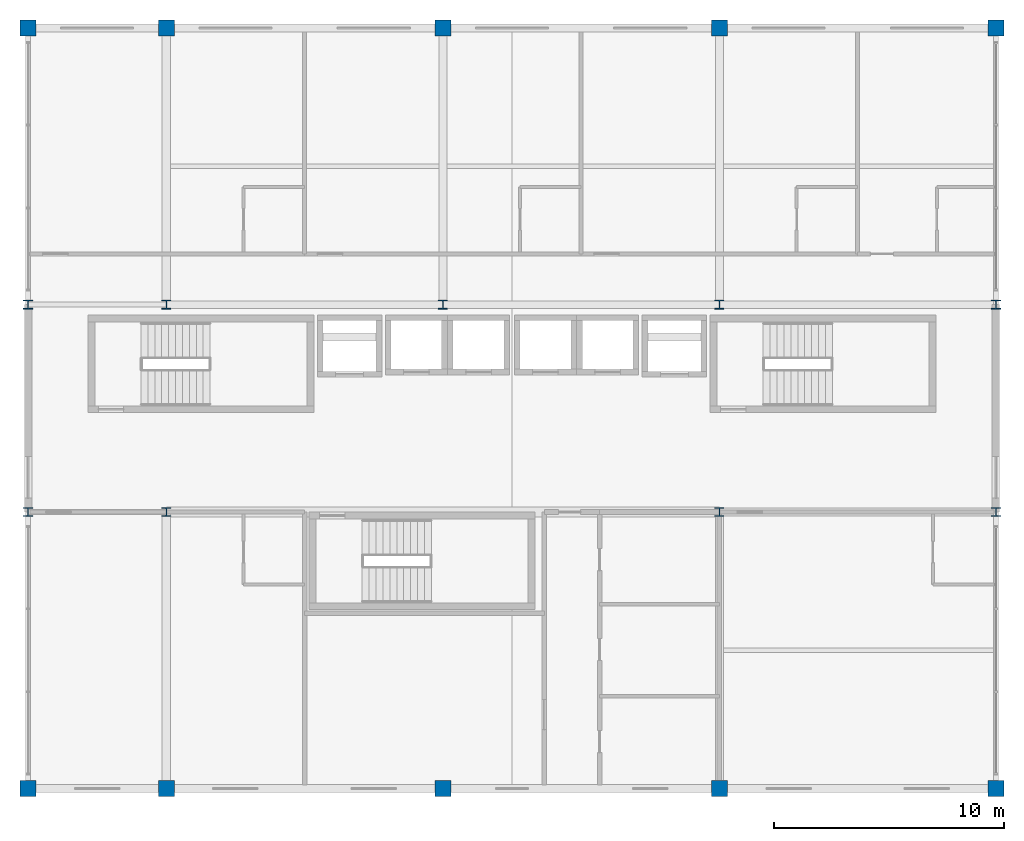
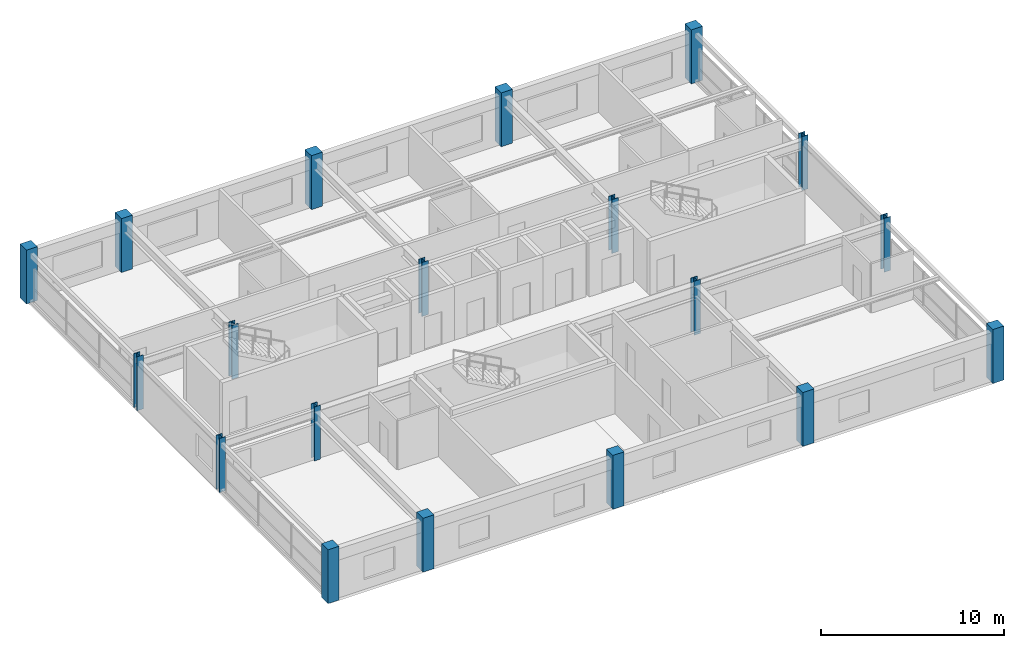
# One storey, part 1 of 22: 19 columns.
"""IFC4 building model written with IfcOpenShell, lengths in metres."""

from ifc_helpers import new_model, si_unit, direction, frame, origin, origin_2d, place, context, subcontext, project, spatial, rectangle, i_section, extrude, material, material_profile, profile_set, type_object, element, save


model = new_model("IFC4")

# Units and contexts
model_context = context("Model", 3, precision=1e-05, world=origin(), true_north=direction((0.0, 1.0)))
body_context = subcontext(model_context, "Body", "Model", "MODEL_VIEW")
ifc_project = project(units=[si_unit("LENGTHUNIT", "METRE"), si_unit("AREAUNIT", "SQUARE_METRE"), si_unit("VOLUMEUNIT", "CUBIC_METRE"), si_unit("PLANEANGLEUNIT", "RADIAN"), si_unit("MASSUNIT", "GRAM", prefix="KILO")], contexts=[model_context])

# Site, building, storey
site_placement = place(None, origin())
site = spatial("IfcSite", under=ifc_project, at=site_placement, CompositionType="ELEMENT")
building_placement = place(site_placement, origin())
building = spatial("IfcBuilding", under=site, at=building_placement, Name="Kaldorvane Square Convention Centre", CompositionType="ELEMENT")
storey_placement = place(building_placement, frame((0.0, 0.0, 63.600006103515625)))
storey = spatial("IfcBuildingStorey", under=building, at=storey_placement, Name="L15", CompositionType="ELEMENT", Elevation=63.600006103515625)

# Columns
ifc_material_1 = material(Name="Concrete f'c = 42 MPa (Normalweight)", Category="concrete")
ifc_material_profile_1 = material_profile(ifc_material_1, rectangle(XDim=0.6999969482421875, YDim=0.6999969482421875, at=origin_2d()), Name="RC700X700")
ifc_profile_set_1 = profile_set([ifc_material_profile_1], Name="Concrete f'c = 42 MPa (Normalweight)")
column_type_1 = type_object("IfcColumnType", Name="COL-RC-700", PredefinedType="COLUMN", material=ifc_profile_set_1)
for number, where, z_axis, x_axis, name in (
    (1, (36.0, 84.0, 0.0), (0.0, 0.0, 1.0), (1.0, 0.0, 0.0), "Column CC-06 (L15)"),
    (2, (36.0, 117.0, 0.0), (0.0, 0.0, 1.0), (1.0, 0.0, 0.0), "Column CC-06 (L15)"),
    (3, (42.0, 84.0, 0.0), (0.0, 0.0, 1.0), (1.0, 0.0, 0.0), "Column CC-06 (L15)"),
    (4, (42.0, 117.0, 0.0), (0.0, 0.0, 1.0), (1.0, 0.0, 0.0), "Column CC-06 (L15)"),
    (5, (54.0, 84.0, 0.0), (0.0, 0.0, 1.0), (1.0, 0.0, 0.0), "Column CC-06 (L15)"),
    (6, (54.0, 117.0, 0.0), (0.0, 0.0, 1.0), (1.0, 0.0, 0.0), "Column CC-06 (L15)"),
    (7, (66.0, 84.0, 0.0), (0.0, 0.0, 1.0), (1.0, 0.0, 0.0), "Column CC-06 (L15)"),
    (8, (66.0, 117.0, 0.0), (0.0, 0.0, 1.0), (1.0, 0.0, 0.0), "Column CC-06 (L15)"),
    (9, (78.0, 84.0, 0.0), (0.0, 0.0, 1.0), (1.0, 0.0, 0.0), "Column CC-06 (L15)"),
    (10, (78.0, 117.0, 0.0), (0.0, 0.0, 1.0), (1.0, 0.0, 0.0), "Column CC-06 (L15)"),
):
    element("IfcColumn", number, at=place(storey_placement, frame(where, z_axis=z_axis, x_axis=x_axis)), inside=storey, type_object=column_type_1, Name=name, PredefinedType="COLUMN", context=body_context, shape_type="SweptSolid", body=[
        extrude(rectangle(XDim=0.6999969482421875, YDim=0.6999969482421875, at=origin_2d()), origin(), (0.0, 0.0, 1.0), 3.5999908447265625),
    ])
ifc_material_2 = material(Name="Steel ASTM A992 Gr. 50", Category="steel")
ifc_material_profile_2 = material_profile(ifc_material_2, i_section(OverallWidth=0.3975067138671875, OverallDepth=0.3865966796875, WebThickness=0.0211029052734375, FlangeThickness=0.033294677734375, FilletRadius=0.0305023193359375, at=origin_2d()), Name="W14X176")
ifc_profile_set_2 = profile_set([ifc_material_profile_2], Name="Steel ASTM A992 Gr. 50")
column_type_2 = type_object("IfcColumnType", Name="COL-STL-176", PredefinedType="COLUMN", material=ifc_profile_set_2)
for number, where, z_axis, x_axis, name in (
    (11, (36.0, 96.0, 0.0), (0.0, 0.0, 1.0), (1.0, 0.0, 0.0), "Column SC-09 (L15)"),
    (12, (36.0, 105.0, 0.0), (0.0, 0.0, 1.0), (1.0, 0.0, 0.0), "Column SC-09 (L15)"),
    (13, (42.0, 96.0, 0.0), (0.0, 0.0, 1.0), (1.0, 0.0, 0.0), "Column SC-09 (L15)"),
    (14, (42.0, 105.0, 0.0), (0.0, 0.0, 1.0), (1.0, 0.0, 0.0), "Column SC-09 (L15)"),
    (15, (54.0, 105.0, 0.0), (0.0, 0.0, 1.0), (1.0, 0.0, 0.0), "Column SC-09 (L15)"),
    (16, (66.0, 96.0, 0.0), (0.0, 0.0, 1.0), (1.0, 0.0, 0.0), "Column SC-09 (L15)"),
    (17, (66.0, 105.0, 0.0), (0.0, 0.0, 1.0), (1.0, 0.0, 0.0), "Column SC-09 (L15)"),
    (18, (78.0, 96.0, 0.0), (0.0, 0.0, 1.0), (1.0, 0.0, 0.0), "Column SC-09 (L15)"),
    (19, (78.0, 105.0, 0.0), (0.0, 0.0, 1.0), (1.0, 0.0, 0.0), "Column SC-09 (L15)"),
):
    element("IfcColumn", number, at=place(storey_placement, frame(where, z_axis=z_axis, x_axis=x_axis)), inside=storey, type_object=column_type_2, Name=name, PredefinedType="COLUMN", context=body_context, shape_type="SweptSolid", body=[
        extrude(i_section(OverallWidth=0.3975067138671875, OverallDepth=0.3865966796875, WebThickness=0.0211029052734375, FlangeThickness=0.033294677734375, FilletRadius=0.0305023193359375, at=origin_2d()), origin(), (0.0, 0.0, 1.0), 3.5999908447265625),
    ])

save(model, "model.ifc")
